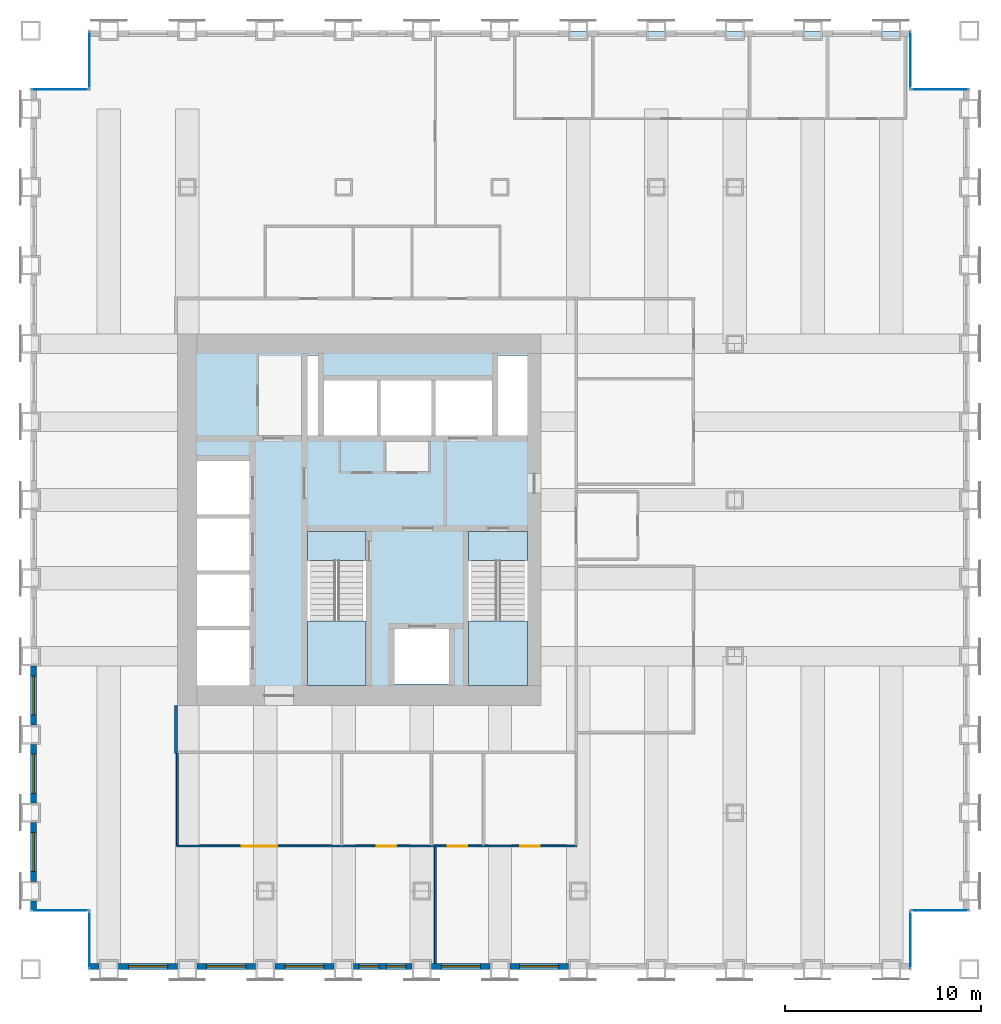
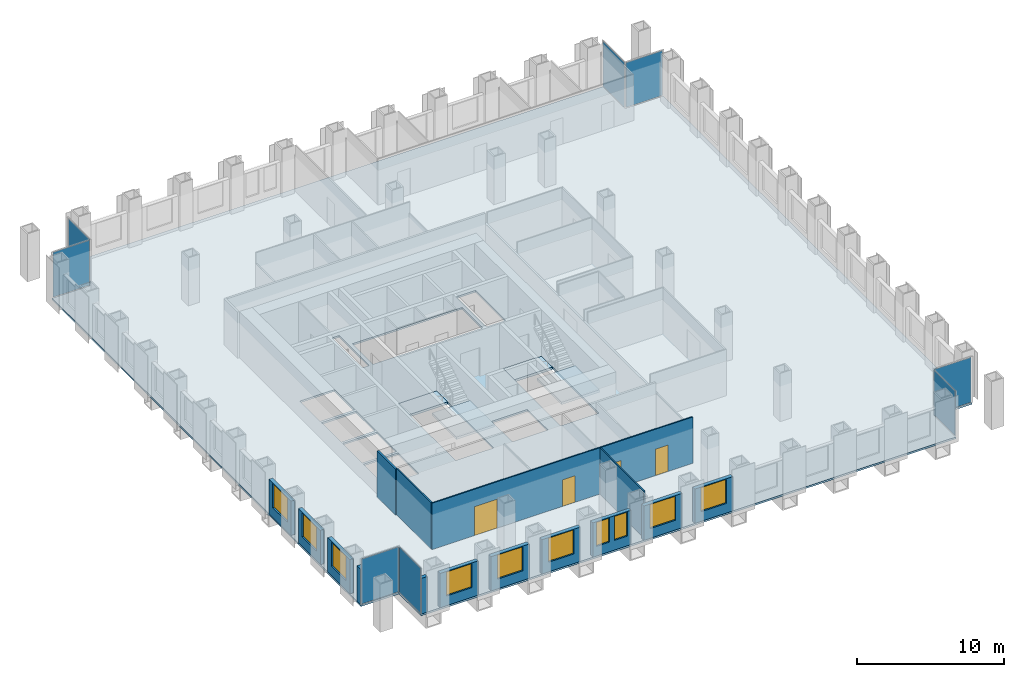
# One storey, part 9 of 14: 15 walls, 10 windows, 8 plates, 5 slabs, 4 doors, 14 openings, 10 elements without a shape of their own.
"""IFC4 building model written with IfcOpenShell, lengths in metres."""

from ifc_helpers import new_model, si_unit, direction, frame, frame_2d, origin, origin_2d, place, context, subcontext, project, spatial, polyline, rectangle, outline, extrude, material, layer, layer_set, type_object, element, fill, aggregate, save


model = new_model("IFC4")

# Units and contexts
model_context = context("Model", 3, precision=1e-05, world=origin(), true_north=direction((0.0, 1.0)))
body_context = subcontext(model_context, "Body", "Model", "MODEL_VIEW")
ifc_project = project(units=[si_unit("LENGTHUNIT", "METRE"), si_unit("AREAUNIT", "SQUARE_METRE"), si_unit("VOLUMEUNIT", "CUBIC_METRE"), si_unit("PLANEANGLEUNIT", "RADIAN"), si_unit("MASSUNIT", "GRAM", prefix="KILO")], contexts=[model_context])

# Site, building, storey
site_placement = place(None, origin())
site = spatial("IfcSite", under=ifc_project, at=site_placement, CompositionType="ELEMENT")
building_placement = place(site_placement, origin())
building = spatial("IfcBuilding", under=site, at=building_placement, Name="Rimbunsela Tower", CompositionType="ELEMENT")
storey_placement = place(building_placement, frame((0.0, 0.0, 109.39990234375)))
storey = spatial("IfcBuildingStorey", under=building, at=storey_placement, Name="L26", CompositionType="ELEMENT", Elevation=109.39990234375)

# Slab
ifc_material_1 = material(Name="Concrete fc' 35 MPa", Category="concrete")
ifc_layer_1 = layer(ifc_material_1, 0.14990234375)
ifc_layer_set_1 = layer_set([ifc_layer_1], Name="Floor slab 150")
slab_type_1 = type_object("IfcSlabType", Name="Floor slab 150", PredefinedType="FLOOR", material=ifc_layer_set_1)
slab_1_placement = place(storey_placement, frame((0.0, 0.0, -0.14990234375)))
element("IfcSlab", 1, at=slab_1_placement, inside=storey, type_object=slab_type_1, Name="Floor slab L26", PredefinedType="FLOOR", context=body_context, shape_type="SweptSolid", body=[
    extrude(outline(polyline([(13.0, 4.0), (55.0, 4.0), (55.0, 7.0), (58.0, 7.0), (58.0, 49.0), (55.0, 49.0), (55.0, 52.0), (13.0, 52.0), (13.0, 49.0), (10.0, 49.0), (10.0, 7.0), (13.0, 7.0), (13.0, 4.0)]), holes=[polyline([(21.199951171875, 21.35009765625), (18.5, 21.35009765625), (18.5, 18.5), (21.199951171875, 18.5), (21.199951171875, 21.35009765625)]), polyline([(21.199951171875, 21.550048828125), (21.199951171875, 24.199951171875), (18.5, 24.199951171875), (18.5, 21.550048828125), (21.199951171875, 21.550048828125)]), polyline([(21.199951171875, 27.050048828125), (18.5, 27.050048828125), (18.5, 24.39990234375), (21.199951171875, 24.39990234375), (21.199951171875, 27.050048828125)]), polyline([(21.199951171875, 27.25), (21.199951171875, 30.0), (18.5, 30.0), (18.5, 27.25), (21.199951171875, 27.25)]), polyline([(27.14990234375, 18.60009765625), (27.14990234375, 26.39990234375), (24.14990234375, 26.39990234375), (24.14990234375, 18.60009765625), (27.14990234375, 18.60009765625)]), polyline([(24.699951171875, 31.300048828125), (24.699951171875, 35.39990234375), (24.14990234375, 35.39990234375), (24.14990234375, 31.300048828125), (24.699951171875, 31.300048828125)]), polyline([(25.0, 34.10009765625), (25.0, 31.300048828125), (33.60009765625, 31.300048828125), (33.60009765625, 34.10009765625), (25.0, 34.10009765625)]), polyline([(31.39990234375, 21.39990234375), (28.60009765625, 21.39990234375), (28.60009765625, 18.60009765625), (31.39990234375, 18.60009765625), (31.39990234375, 21.39990234375)]), polyline([(35.39990234375, 18.60009765625), (35.39990234375, 26.39990234375), (32.39990234375, 26.39990234375), (32.39990234375, 18.60009765625), (35.39990234375, 18.60009765625)]), polyline([(35.39990234375, 31.300048828125), (35.39990234375, 35.39990234375), (33.89990234375, 35.39990234375), (33.89990234375, 31.300048828125), (35.39990234375, 31.300048828125)])]), origin(), (0.0, 0.0, 1.0), 0.14990234375),
])

# Curtain wall, plate
ifc_material_2 = material(Name="Aluminium curtain wall", Category="aluminium")
curtain_wall_type = type_object("IfcCurtainWallType", Name="Corner glazing", PredefinedType="USERDEFINED", material=ifc_material_2)
curtain_wall_1_placement = place(storey_placement, origin())
curtain_wall_1 = element("IfcCurtainWall", 2, at=curtain_wall_1_placement, inside=storey, type_object=curtain_wall_type, Name="Corner glazing L26", ObjectType="CORNER GLAZING", PredefinedType="USERDEFINED")
ifc_material_3 = material(Name="Clear double glazing", Category="glass")
ifc_layer_2 = layer(ifc_material_3, 0.028076171875)
ifc_layer_set_2 = layer_set([ifc_layer_2], Name="Glazed panel clear")
plate_type = type_object("IfcPlateType", Name="Glazed panel clear", PredefinedType="CURTAIN_PANEL", material=ifc_layer_set_2)
plate_1_placement = place(storey_placement, frame((55.0, 5.5, 0.06005859375), z_axis=(0.0, 0.0, 1.0), x_axis=(0.0, 1.0, 0.0)))
plate_1 = element("IfcPlate", 3, at=plate_1_placement, type_object=plate_type, Name="CW5 panel 1.1", PredefinedType="CURTAIN_PANEL", context=body_context, shape_type="SweptSolid", body=[
    extrude(rectangle(XDim=2.8798828125, YDim=0.028076171875, at=origin_2d()), origin(), (0.0, 0.0, 1.0), 3.72998046875),
])
aggregate(curtain_wall_1, [plate_1])

curtain_wall_2_placement = place(storey_placement, origin())
curtain_wall_2 = element("IfcCurtainWall", 4, at=curtain_wall_2_placement, inside=storey, type_object=curtain_wall_type, Name="Corner glazing L26", ObjectType="CORNER GLAZING", PredefinedType="USERDEFINED")
plate_2_placement = place(storey_placement, frame((56.5, 7.0, 0.06005859375), z_axis=(0.0, 0.0, 1.0), x_axis=(1.0, 0.0, 0.0)))
plate_2 = element("IfcPlate", 5, at=plate_2_placement, type_object=plate_type, Name="CW5 panel 1.1", PredefinedType="CURTAIN_PANEL", context=body_context, shape_type="SweptSolid", body=[
    extrude(rectangle(XDim=2.8798828125, YDim=0.028076171875, at=origin_2d()), origin(), (0.0, 0.0, 1.0), 3.72998046875),
])
aggregate(curtain_wall_2, [plate_2])

curtain_wall_3_placement = place(storey_placement, origin())
curtain_wall_3 = element("IfcCurtainWall", 6, at=curtain_wall_3_placement, inside=storey, type_object=curtain_wall_type, Name="Corner glazing L26", ObjectType="CORNER GLAZING", PredefinedType="USERDEFINED")
plate_3_placement = place(storey_placement, frame((56.5, 49.0, 0.06005859375), z_axis=(0.0, 0.0, 1.0), x_axis=(-1.0, 0.0, 0.0)))
plate_3 = element("IfcPlate", 7, at=plate_3_placement, type_object=plate_type, Name="CW5 panel 1.1", PredefinedType="CURTAIN_PANEL", context=body_context, shape_type="SweptSolid", body=[
    extrude(rectangle(XDim=2.8798828125, YDim=0.028076171875, at=origin_2d()), origin(), (0.0, 0.0, 1.0), 3.72998046875),
])
aggregate(curtain_wall_3, [plate_3])

curtain_wall_4_placement = place(storey_placement, origin())
curtain_wall_4 = element("IfcCurtainWall", 8, at=curtain_wall_4_placement, inside=storey, type_object=curtain_wall_type, Name="Corner glazing L26", ObjectType="CORNER GLAZING", PredefinedType="USERDEFINED")
plate_4_placement = place(storey_placement, frame((55.0, 50.5, 0.06005859375), z_axis=(0.0, 0.0, 1.0), x_axis=(0.0, 1.0, 0.0)))
plate_4 = element("IfcPlate", 9, at=plate_4_placement, type_object=plate_type, Name="CW5 panel 1.1", PredefinedType="CURTAIN_PANEL", context=body_context, shape_type="SweptSolid", body=[
    extrude(rectangle(XDim=2.8798828125, YDim=0.028076171875, at=origin_2d()), origin(), (0.0, 0.0, 1.0), 3.72998046875),
])
aggregate(curtain_wall_4, [plate_4])

curtain_wall_5_placement = place(storey_placement, origin())
curtain_wall_5 = element("IfcCurtainWall", 10, at=curtain_wall_5_placement, inside=storey, type_object=curtain_wall_type, Name="Corner glazing L26", ObjectType="CORNER GLAZING", PredefinedType="USERDEFINED")
plate_5_placement = place(storey_placement, frame((13.0, 50.5, 0.06005859375), z_axis=(0.0, 0.0, 1.0), x_axis=(0.0, -1.0, 0.0)))
plate_5 = element("IfcPlate", 11, at=plate_5_placement, type_object=plate_type, Name="CW5 panel 1.1", PredefinedType="CURTAIN_PANEL", context=body_context, shape_type="SweptSolid", body=[
    extrude(rectangle(XDim=2.8798828125, YDim=0.028076171875, at=origin_2d()), origin(), (0.0, 0.0, 1.0), 3.72998046875),
])
aggregate(curtain_wall_5, [plate_5])

curtain_wall_6_placement = place(storey_placement, origin())
curtain_wall_6 = element("IfcCurtainWall", 12, at=curtain_wall_6_placement, inside=storey, type_object=curtain_wall_type, Name="Corner glazing L26", ObjectType="CORNER GLAZING", PredefinedType="USERDEFINED")
plate_6_placement = place(storey_placement, frame((11.5, 49.0, 0.06005859375), z_axis=(0.0, 0.0, 1.0), x_axis=(-1.0, 0.0, 0.0)))
plate_6 = element("IfcPlate", 13, at=plate_6_placement, type_object=plate_type, Name="CW5 panel 1.1", PredefinedType="CURTAIN_PANEL", context=body_context, shape_type="SweptSolid", body=[
    extrude(rectangle(XDim=2.8798828125, YDim=0.028076171875, at=origin_2d()), origin(), (0.0, 0.0, 1.0), 3.72998046875),
])
aggregate(curtain_wall_6, [plate_6])

curtain_wall_7_placement = place(storey_placement, origin())
curtain_wall_7 = element("IfcCurtainWall", 14, at=curtain_wall_7_placement, inside=storey, type_object=curtain_wall_type, Name="Corner glazing L26", ObjectType="CORNER GLAZING", PredefinedType="USERDEFINED")
plate_7_placement = place(storey_placement, frame((11.5, 7.0, 0.06005859375), z_axis=(0.0, 0.0, 1.0), x_axis=(1.0, 0.0, 0.0)))
plate_7 = element("IfcPlate", 15, at=plate_7_placement, type_object=plate_type, Name="CW5 panel 1.1", PredefinedType="CURTAIN_PANEL", context=body_context, shape_type="SweptSolid", body=[
    extrude(rectangle(XDim=2.8798828125, YDim=0.028076171875, at=origin_2d()), origin(), (0.0, 0.0, 1.0), 3.72998046875),
])
aggregate(curtain_wall_7, [plate_7])

curtain_wall_8_placement = place(storey_placement, origin())
curtain_wall_8 = element("IfcCurtainWall", 16, at=curtain_wall_8_placement, inside=storey, type_object=curtain_wall_type, Name="Corner glazing L26", ObjectType="CORNER GLAZING", PredefinedType="USERDEFINED")
plate_8_placement = place(storey_placement, frame((13.0, 5.5, 0.06005859375), z_axis=(0.0, 0.0, 1.0), x_axis=(0.0, -1.0, 0.0)))
plate_8 = element("IfcPlate", 17, at=plate_8_placement, type_object=plate_type, Name="CW5 panel 1.1", PredefinedType="CURTAIN_PANEL", context=body_context, shape_type="SweptSolid", body=[
    extrude(rectangle(XDim=2.8798828125, YDim=0.028076171875, at=origin_2d()), origin(), (0.0, 0.0, 1.0), 3.72998046875),
])
aggregate(curtain_wall_8, [plate_8])

# Stair, slabs
ifc_material_4 = material(Name="Concrete fc' 35 MPa", Category="concrete")
stair_type = type_object("IfcStairType", Name="Exit stair 24 risers", PredefinedType="HALF_TURN_STAIR", material=ifc_material_4)
stair_1_placement = place(storey_placement, origin())
stair_1 = element("IfcStair", 18, at=stair_1_placement, inside=storey, type_object=stair_type, Name="Exit stair A L26", PredefinedType="HALF_TURN_STAIR")
ifc_material_5 = material(Name="Concrete fc' 35 MPa", Category="concrete")
ifc_layer_3 = layer(ifc_material_5, 0.199951171875)
ifc_layer_set_3 = layer_set([ifc_layer_3], Name="Stair landing 200")
slab_type_2 = type_object("IfcSlabType", Name="Stair landing 200", PredefinedType="LANDING", material=ifc_layer_set_3)
slab_2_placement = place(storey_placement, frame((0.0, 0.0, -0.199951171875)))
slab_2 = element("IfcSlab", 19, at=slab_2_placement, type_object=slab_type_2, Name="ST-A landing 1", PredefinedType="LANDING", context=body_context, shape_type="SweptSolid", body=[
    extrude(outline(polyline([(24.14990234375, 24.89990234375), (27.14990234375, 24.89990234375), (27.14990234375, 26.39990234375), (24.14990234375, 26.39990234375), (24.14990234375, 24.89990234375)])), origin(), (0.0, 0.0, 1.0), 0.199951171875),
])
slab_3_placement = place(storey_placement, frame((0.0, 0.0, 1.800048828125)))
slab_3 = element("IfcSlab", 20, at=slab_3_placement, type_object=slab_type_2, Name="ST-A landing 2", PredefinedType="LANDING", context=body_context, shape_type="SweptSolid", body=[
    extrude(outline(polyline([(24.14990234375, 18.5), (27.14990234375, 18.5), (27.14990234375, 21.820068359375), (24.14990234375, 21.820068359375), (24.14990234375, 18.5)])), origin(), (0.0, 0.0, 1.0), 0.199951171875),
])
aggregate(stair_1, [slab_2, slab_3])

stair_2_placement = place(storey_placement, origin())
stair_2 = element("IfcStair", 21, at=stair_2_placement, inside=storey, type_object=stair_type, Name="Exit stair B L26", PredefinedType="HALF_TURN_STAIR")
slab_4_placement = place(storey_placement, frame((0.0, 0.0, -0.199951171875)))
slab_4 = element("IfcSlab", 22, at=slab_4_placement, type_object=slab_type_2, Name="ST-B landing 1", PredefinedType="LANDING", context=body_context, shape_type="SweptSolid", body=[
    extrude(outline(polyline([(32.39990234375, 24.89990234375), (35.39990234375, 24.89990234375), (35.39990234375, 26.39990234375), (32.39990234375, 26.39990234375), (32.39990234375, 24.89990234375)])), origin(), (0.0, 0.0, 1.0), 0.199951171875),
])
slab_5_placement = place(storey_placement, frame((0.0, 0.0, 1.800048828125)))
slab_5 = element("IfcSlab", 23, at=slab_5_placement, type_object=slab_type_2, Name="ST-B landing 2", PredefinedType="LANDING", context=body_context, shape_type="SweptSolid", body=[
    extrude(outline(polyline([(32.39990234375, 18.5), (35.39990234375, 18.5), (35.39990234375, 21.820068359375), (32.39990234375, 21.820068359375), (32.39990234375, 18.5)])), origin(), (0.0, 0.0, 1.0), 0.199951171875),
])
aggregate(stair_2, [slab_4, slab_5])

# Wall, openings, doors
ifc_material_6 = material(Name="Gypsum board on steel studs", Category="steel")
ifc_layer_4 = layer(ifc_material_6, 0.10009765625)
ifc_layer_set_4 = layer_set([ifc_layer_4], Name="Office partition 100")
wall_type_1 = type_object("IfcWallType", Name="Office partition 100", PredefinedType="PARTITIONING", material=ifc_layer_set_4)
wall_1_placement = place(storey_placement, frame((17.449951171875, 10.300048828125, 0.0), z_axis=(0.0, 0.0, 1.0), x_axis=(1.0, 0.0, 0.0)))
wall_1 = element("IfcWall", 24, at=wall_1_placement, inside=storey, type_object=wall_type_1, Name="Office partition", PredefinedType="PARTITIONING", context=body_context, shape_type="SweptSolid", body=[
    extrude(rectangle(XDim=20.5, YDim=0.10009765625, at=frame_2d((10.25, 0.0))), origin(), (0.0, 0.0, 1.0), 3.85009765625),
])
opening_1_placement = place(wall_1_placement, frame((3.35009765625, 0.0, 0.0)))
opening_1 = element("IfcOpeningElement", 25, at=opening_1_placement, cuts=wall_1, Name="Opening D18", PredefinedType="OPENING", context=body_context, shape_type="SweptSolid", body=[
    extrude(rectangle(XDim=1.800048828125, YDim=2.39990234375, at=frame_2d((0.89990234375, 1.199951171875))), frame((0.0, 0.06005859375, 0.0), z_axis=(0.0, -1.0, 0.0), x_axis=(1.0, 0.0, 0.0)), (0.0, 0.0, 1.0), 0.1201171875),
])
opening_2_placement = place(wall_1_placement, frame((10.25, 0.0, 0.0)))
opening_2 = element("IfcOpeningElement", 26, at=opening_2_placement, cuts=wall_1, Name="Opening D16", PredefinedType="OPENING", context=body_context, shape_type="SweptSolid", body=[
    extrude(rectangle(XDim=1.0, YDim=2.199951171875, at=frame_2d((0.5, 1.10009765625))), frame((0.0, 0.06005859375, 0.0), z_axis=(0.0, -1.0, 0.0), x_axis=(1.0, 0.0, 0.0)), (0.0, 0.0, 1.0), 0.1201171875),
])
opening_3_placement = place(wall_1_placement, frame((13.875, 0.0, 0.0)))
opening_3 = element("IfcOpeningElement", 27, at=opening_3_placement, cuts=wall_1, Name="Opening D16", PredefinedType="OPENING", context=body_context, shape_type="SweptSolid", body=[
    extrude(rectangle(XDim=1.0, YDim=2.199951171875, at=frame_2d((0.5, 1.10009765625))), frame((0.0, 0.06005859375, 0.0), z_axis=(0.0, -1.0, 0.0), x_axis=(1.0, 0.0, 0.0)), (0.0, 0.0, 1.0), 0.1201171875),
])
opening_4_placement = place(wall_1_placement, frame((17.574951171875, 0.0, 0.0)))
opening_4 = element("IfcOpeningElement", 28, at=opening_4_placement, cuts=wall_1, Name="Opening D16", PredefinedType="OPENING", context=body_context, shape_type="SweptSolid", body=[
    extrude(rectangle(XDim=1.0, YDim=2.199951171875, at=frame_2d((0.5, 1.10009765625))), frame((0.0, 0.06005859375, 0.0), z_axis=(0.0, -1.0, 0.0), x_axis=(1.0, 0.0, 0.0)), (0.0, 0.0, 1.0), 0.1201171875),
])
ifc_material_7 = material(Name="Glazed aluminium door", Category="aluminium")
door_type_1 = type_object("IfcDoorType", Name="Boardroom door 1800 glazed", OperationType="DOUBLE_DOOR_DOUBLE_SWING", PredefinedType="DOOR", material=ifc_material_7)
door_1_placement = place(opening_1_placement, origin())
door_1 = element("IfcDoor", 29, at=door_1_placement, inside=storey, type_object=door_type_1, Name="Boardroom door", OperationType="DOUBLE_DOOR_DOUBLE_SWING", OverallHeight=2.39990234375, OverallWidth=1.800048828125, PredefinedType="DOOR", context=body_context, shape_type="SweptSolid", body=[
    extrude(rectangle(XDim=1.800048828125, YDim=2.39990234375, at=frame_2d((0.89990234375, 1.199951171875))), frame((0.0, 0.02490234375, 0.0), z_axis=(0.0, -1.0, 0.0), x_axis=(1.0, 0.0, 0.0)), (0.0, 0.0, 1.0), 0.050048828125),
])
fill(opening_1, door_1)
ifc_material_8 = material(Name="Timber door", Category="wood")
door_type_2 = type_object("IfcDoorType", Name="Office door 1000", OperationType="SINGLE_SWING_LEFT", PredefinedType="DOOR", material=ifc_material_8)
door_2_placement = place(opening_2_placement, origin())
door_2 = element("IfcDoor", 30, at=door_2_placement, inside=storey, type_object=door_type_2, Name="Office door", OperationType="SINGLE_SWING_LEFT", OverallHeight=2.199951171875, OverallWidth=1.0, PredefinedType="DOOR", context=body_context, shape_type="SweptSolid", body=[
    extrude(rectangle(XDim=1.0, YDim=2.199951171875, at=frame_2d((0.5, 1.10009765625))), frame((0.0, 0.02490234375, 0.0), z_axis=(0.0, -1.0, 0.0), x_axis=(1.0, 0.0, 0.0)), (0.0, 0.0, 1.0), 0.050048828125),
])
fill(opening_2, door_2)
door_3_placement = place(opening_3_placement, origin())
door_3 = element("IfcDoor", 31, at=door_3_placement, inside=storey, type_object=door_type_2, Name="Office door", OperationType="SINGLE_SWING_LEFT", OverallHeight=2.199951171875, OverallWidth=1.0, PredefinedType="DOOR", context=body_context, shape_type="SweptSolid", body=[
    extrude(rectangle(XDim=1.0, YDim=2.199951171875, at=frame_2d((0.5, 1.10009765625))), frame((0.0, 0.02490234375, 0.0), z_axis=(0.0, -1.0, 0.0), x_axis=(1.0, 0.0, 0.0)), (0.0, 0.0, 1.0), 0.050048828125),
])
fill(opening_3, door_3)
door_4_placement = place(opening_4_placement, origin())
door_4 = element("IfcDoor", 32, at=door_4_placement, inside=storey, type_object=door_type_2, Name="Office door", OperationType="SINGLE_SWING_LEFT", OverallHeight=2.199951171875, OverallWidth=1.0, PredefinedType="DOOR", context=body_context, shape_type="SweptSolid", body=[
    extrude(rectangle(XDim=1.0, YDim=2.199951171875, at=frame_2d((0.5, 1.10009765625))), frame((0.0, 0.02490234375, 0.0), z_axis=(0.0, -1.0, 0.0), x_axis=(1.0, 0.0, 0.0)), (0.0, 0.0, 1.0), 0.050048828125),
])
fill(opening_4, door_4)

# Walls
wall_2_placement = place(storey_placement, frame((17.5, 10.35009765625, 0.0), z_axis=(0.0, 0.0, 1.0), x_axis=(0.0, 1.0, 0.0)))
element("IfcWall", 33, at=wall_2_placement, inside=storey, type_object=wall_type_1, Name="Office partition", PredefinedType="PARTITIONING", context=body_context, shape_type="SweptSolid", body=[
    extrude(rectangle(XDim=4.6748046875, YDim=0.10009765625, at=frame_2d((2.33740234375, 0.0))), origin(), (0.0, 0.0, 1.0), 3.85009765625),
])
wall_3_placement = place(storey_placement, frame((30.699951171875, 4.300048828125, 0.0), z_axis=(0.0, 0.0, 1.0), x_axis=(0.0, 1.0, 0.0)))
element("IfcWall", 34, at=wall_3_placement, inside=storey, type_object=wall_type_1, Name="Office partition", PredefinedType="PARTITIONING", context=body_context, shape_type="SweptSolid", body=[
    extrude(rectangle(XDim=5.949951171875, YDim=0.10009765625, at=frame_2d((2.97509765625, 0.0))), origin(), (0.0, 0.0, 1.0), 3.85009765625),
])
ifc_material_9 = material(Name="Precast concrete fc' 35 MPa", Category="concrete")
ifc_layer_5 = layer(ifc_material_9, 0.300048828125)
ifc_layer_set_5 = layer_set([ifc_layer_5], Name="Precast concrete fc' 35 MPa")
wall_type_2 = type_object("IfcWallType", Name="Precast facade panel 300", PredefinedType="ELEMENTEDWALL", material=ifc_layer_set_5)
wall_4_placement = place(storey_placement, frame((13.030029296875, 4.14990234375, 0.0), z_axis=(0.0, 0.0, 1.0), x_axis=(1.0, 0.0, 0.0)))
element("IfcWall", 35, at=wall_4_placement, inside=storey, type_object=wall_type_2, Name="Facade panel S L26", PredefinedType="ELEMENTEDWALL", context=body_context, shape_type="SweptSolid", body=[
    extrude(rectangle(XDim=0.469970703125, YDim=0.300048828125, at=frame_2d((0.23486328125, 0.0))), origin(), (0.0, 0.0, 1.0), 2.9501953125),
])

# Wall, opening, window
wall_5_placement = place(storey_placement, frame((14.5, 4.14990234375, 0.0), z_axis=(0.0, 0.0, 1.0), x_axis=(1.0, 0.0, 0.0)))
wall_5 = element("IfcWall", 36, at=wall_5_placement, inside=storey, type_object=wall_type_2, Name="Facade panel S L26", PredefinedType="ELEMENTEDWALL", context=body_context, shape_type="SweptSolid", body=[
    extrude(rectangle(XDim=3.0, YDim=0.300048828125, at=frame_2d((1.5, 0.0))), origin(), (0.0, 0.0, 1.0), 2.85009765625),
])
opening_5_placement = place(wall_5_placement, frame((0.5, 0.0, 0.800048828125)))
opening_5 = element("IfcOpeningElement", 37, at=opening_5_placement, cuts=wall_5, Name="Opening W1", PredefinedType="OPENING", context=body_context, shape_type="SweptSolid", body=[
    extrude(rectangle(XDim=2.0, YDim=2.0, at=frame_2d((1.0, 1.0))), frame((0.0, 0.159912109375, 0.0), z_axis=(0.0, -1.0, 0.0), x_axis=(1.0, 0.0, 0.0)), (0.0, 0.0, 1.0), 0.320068359375),
])
ifc_material_10 = material(Name="Clear glass in aluminium frame", Category="aluminium")
window_type_1 = type_object("IfcWindowType", Name="Window W1 2000x2000", PartitioningType="DOUBLE_PANEL_VERTICAL", PredefinedType="WINDOW", material=ifc_material_10)
window_1_placement = place(opening_5_placement, origin())
window_1 = element("IfcWindow", 38, at=window_1_placement, inside=storey, type_object=window_type_1, Name="Window L26", OverallHeight=2.0, OverallWidth=2.0, PartitioningType="SINGLE_PANEL", PredefinedType="WINDOW", context=body_context, shape_type="SweptSolid", body=[
    extrude(rectangle(XDim=2.0, YDim=2.0, at=frame_2d((1.0, 1.0))), frame((0.0, 0.030029296875, 0.0), z_axis=(0.0, -1.0, 0.0), x_axis=(1.0, 0.0, 0.0)), (0.0, 0.0, 1.0), 0.06005859375),
])
fill(opening_5, window_1)

wall_6_placement = place(storey_placement, frame((18.5, 4.14990234375, 0.0), z_axis=(0.0, 0.0, 1.0), x_axis=(1.0, 0.0, 0.0)))
wall_6 = element("IfcWall", 39, at=wall_6_placement, inside=storey, type_object=wall_type_2, Name="Facade panel S L26", PredefinedType="ELEMENTEDWALL", context=body_context, shape_type="SweptSolid", body=[
    extrude(rectangle(XDim=3.0, YDim=0.300048828125, at=frame_2d((1.5, 0.0))), origin(), (0.0, 0.0, 1.0), 2.85009765625),
])
opening_6_placement = place(wall_6_placement, frame((0.5, 0.0, 0.800048828125)))
opening_6 = element("IfcOpeningElement", 40, at=opening_6_placement, cuts=wall_6, Name="Opening W1", PredefinedType="OPENING", context=body_context, shape_type="SweptSolid", body=[
    extrude(rectangle(XDim=2.0, YDim=2.0, at=frame_2d((1.0, 1.0))), frame((0.0, 0.159912109375, 0.0), z_axis=(0.0, -1.0, 0.0), x_axis=(1.0, 0.0, 0.0)), (0.0, 0.0, 1.0), 0.320068359375),
])
window_2_placement = place(opening_6_placement, origin())
window_2 = element("IfcWindow", 41, at=window_2_placement, inside=storey, type_object=window_type_1, Name="Window L26", OverallHeight=2.0, OverallWidth=2.0, PartitioningType="SINGLE_PANEL", PredefinedType="WINDOW", context=body_context, shape_type="SweptSolid", body=[
    extrude(rectangle(XDim=2.0, YDim=2.0, at=frame_2d((1.0, 1.0))), frame((0.0, 0.030029296875, 0.0), z_axis=(0.0, -1.0, 0.0), x_axis=(1.0, 0.0, 0.0)), (0.0, 0.0, 1.0), 0.06005859375),
])
fill(opening_6, window_2)

wall_7_placement = place(storey_placement, frame((22.5, 4.14990234375, 0.0), z_axis=(0.0, 0.0, 1.0), x_axis=(1.0, 0.0, 0.0)))
wall_7 = element("IfcWall", 42, at=wall_7_placement, inside=storey, type_object=wall_type_2, Name="Facade panel S L26", PredefinedType="ELEMENTEDWALL", context=body_context, shape_type="SweptSolid", body=[
    extrude(rectangle(XDim=3.0, YDim=0.300048828125, at=frame_2d((1.5, 0.0))), origin(), (0.0, 0.0, 1.0), 2.85009765625),
])
opening_7_placement = place(wall_7_placement, frame((0.5, 0.0, 0.800048828125)))
opening_7 = element("IfcOpeningElement", 43, at=opening_7_placement, cuts=wall_7, Name="Opening W1", PredefinedType="OPENING", context=body_context, shape_type="SweptSolid", body=[
    extrude(rectangle(XDim=2.0, YDim=2.0, at=frame_2d((1.0, 1.0))), frame((0.0, 0.159912109375, 0.0), z_axis=(0.0, -1.0, 0.0), x_axis=(1.0, 0.0, 0.0)), (0.0, 0.0, 1.0), 0.320068359375),
])
window_3_placement = place(opening_7_placement, origin())
window_3 = element("IfcWindow", 44, at=window_3_placement, inside=storey, type_object=window_type_1, Name="Window L26", OverallHeight=2.0, OverallWidth=2.0, PartitioningType="SINGLE_PANEL", PredefinedType="WINDOW", context=body_context, shape_type="SweptSolid", body=[
    extrude(rectangle(XDim=2.0, YDim=2.0, at=frame_2d((1.0, 1.0))), frame((0.0, 0.030029296875, 0.0), z_axis=(0.0, -1.0, 0.0), x_axis=(1.0, 0.0, 0.0)), (0.0, 0.0, 1.0), 0.06005859375),
])
fill(opening_7, window_3)

# Wall, openings, windows
wall_8_placement = place(storey_placement, frame((26.5, 4.14990234375, 0.0), z_axis=(0.0, 0.0, 1.0), x_axis=(1.0, 0.0, 0.0)))
wall_8 = element("IfcWall", 45, at=wall_8_placement, inside=storey, type_object=wall_type_2, Name="Facade panel S L26", PredefinedType="ELEMENTEDWALL", context=body_context, shape_type="SweptSolid", body=[
    extrude(rectangle(XDim=3.0, YDim=0.300048828125, at=frame_2d((1.5, 0.0))), origin(), (0.0, 0.0, 1.0), 2.85009765625),
])
opening_8_placement = place(wall_8_placement, frame((0.300048828125, 0.0, 0.800048828125)))
opening_8 = element("IfcOpeningElement", 46, at=opening_8_placement, cuts=wall_8, Name="Opening W5", PredefinedType="OPENING", context=body_context, shape_type="SweptSolid", body=[
    extrude(rectangle(XDim=1.0, YDim=2.0, at=frame_2d((0.5, 1.0))), frame((0.0, 0.159912109375, 0.0), z_axis=(0.0, -1.0, 0.0), x_axis=(1.0, 0.0, 0.0)), (0.0, 0.0, 1.0), 0.320068359375),
])
opening_9_placement = place(wall_8_placement, frame((1.699951171875, 0.0, 0.800048828125)))
opening_9 = element("IfcOpeningElement", 47, at=opening_9_placement, cuts=wall_8, Name="Opening W5", PredefinedType="OPENING", context=body_context, shape_type="SweptSolid", body=[
    extrude(rectangle(XDim=1.0, YDim=2.0, at=frame_2d((0.5, 1.0))), frame((0.0, 0.159912109375, 0.0), z_axis=(0.0, -1.0, 0.0), x_axis=(1.0, 0.0, 0.0)), (0.0, 0.0, 1.0), 0.320068359375),
])
ifc_material_11 = material(Name="Clear glass in aluminium frame", Category="aluminium")
window_type_2 = type_object("IfcWindowType", Name="Window W5 1000x2000", PartitioningType="SINGLE_PANEL", PredefinedType="WINDOW", material=ifc_material_11)
window_4_placement = place(opening_8_placement, origin())
window_4 = element("IfcWindow", 48, at=window_4_placement, inside=storey, type_object=window_type_2, Name="Window L26", OverallHeight=2.0, OverallWidth=1.0, PartitioningType="SINGLE_PANEL", PredefinedType="WINDOW", context=body_context, shape_type="SweptSolid", body=[
    extrude(rectangle(XDim=1.0, YDim=2.0, at=frame_2d((0.5, 1.0))), frame((0.0, 0.030029296875, 0.0), z_axis=(0.0, -1.0, 0.0), x_axis=(1.0, 0.0, 0.0)), (0.0, 0.0, 1.0), 0.06005859375),
])
fill(opening_8, window_4)
window_5_placement = place(opening_9_placement, origin())
window_5 = element("IfcWindow", 49, at=window_5_placement, inside=storey, type_object=window_type_2, Name="Window L26", OverallHeight=2.0, OverallWidth=1.0, PartitioningType="SINGLE_PANEL", PredefinedType="WINDOW", context=body_context, shape_type="SweptSolid", body=[
    extrude(rectangle(XDim=1.0, YDim=2.0, at=frame_2d((0.5, 1.0))), frame((0.0, 0.030029296875, 0.0), z_axis=(0.0, -1.0, 0.0), x_axis=(1.0, 0.0, 0.0)), (0.0, 0.0, 1.0), 0.06005859375),
])
fill(opening_9, window_5)

# Wall, opening, window
wall_9_placement = place(storey_placement, frame((30.5, 4.14990234375, 0.0), z_axis=(0.0, 0.0, 1.0), x_axis=(1.0, 0.0, 0.0)))
wall_9 = element("IfcWall", 50, at=wall_9_placement, inside=storey, type_object=wall_type_2, Name="Facade panel S L26", PredefinedType="ELEMENTEDWALL", context=body_context, shape_type="SweptSolid", body=[
    extrude(rectangle(XDim=3.0, YDim=0.300048828125, at=frame_2d((1.5, 0.0))), origin(), (0.0, 0.0, 1.0), 2.85009765625),
])
opening_10_placement = place(wall_9_placement, frame((0.5, 0.0, 0.800048828125)))
opening_10 = element("IfcOpeningElement", 51, at=opening_10_placement, cuts=wall_9, Name="Opening W1", PredefinedType="OPENING", context=body_context, shape_type="SweptSolid", body=[
    extrude(rectangle(XDim=2.0, YDim=2.0, at=frame_2d((1.0, 1.0))), frame((0.0, 0.159912109375, 0.0), z_axis=(0.0, -1.0, 0.0), x_axis=(1.0, 0.0, 0.0)), (0.0, 0.0, 1.0), 0.320068359375),
])
window_6_placement = place(opening_10_placement, origin())
window_6 = element("IfcWindow", 52, at=window_6_placement, inside=storey, type_object=window_type_1, Name="Window L26", OverallHeight=2.0, OverallWidth=2.0, PartitioningType="SINGLE_PANEL", PredefinedType="WINDOW", context=body_context, shape_type="SweptSolid", body=[
    extrude(rectangle(XDim=2.0, YDim=2.0, at=frame_2d((1.0, 1.0))), frame((0.0, 0.030029296875, 0.0), z_axis=(0.0, -1.0, 0.0), x_axis=(1.0, 0.0, 0.0)), (0.0, 0.0, 1.0), 0.06005859375),
])
fill(opening_10, window_6)

wall_10_placement = place(storey_placement, frame((34.5, 4.14990234375, 0.0), z_axis=(0.0, 0.0, 1.0), x_axis=(1.0, 0.0, 0.0)))
wall_10 = element("IfcWall", 53, at=wall_10_placement, inside=storey, type_object=wall_type_2, Name="Facade panel S L26", PredefinedType="ELEMENTEDWALL", context=body_context, shape_type="SweptSolid", body=[
    extrude(rectangle(XDim=3.0, YDim=0.300048828125, at=frame_2d((1.5, 0.0))), origin(), (0.0, 0.0, 1.0), 2.85009765625),
])
opening_11_placement = place(wall_10_placement, frame((0.5, 0.0, 0.800048828125)))
opening_11 = element("IfcOpeningElement", 54, at=opening_11_placement, cuts=wall_10, Name="Opening W1", PredefinedType="OPENING", context=body_context, shape_type="SweptSolid", body=[
    extrude(rectangle(XDim=2.0, YDim=2.0, at=frame_2d((1.0, 1.0))), frame((0.0, 0.159912109375, 0.0), z_axis=(0.0, -1.0, 0.0), x_axis=(1.0, 0.0, 0.0)), (0.0, 0.0, 1.0), 0.320068359375),
])
window_7_placement = place(opening_11_placement, origin())
window_7 = element("IfcWindow", 55, at=window_7_placement, inside=storey, type_object=window_type_1, Name="Window L26", OverallHeight=2.0, OverallWidth=2.0, PartitioningType="SINGLE_PANEL", PredefinedType="WINDOW", context=body_context, shape_type="SweptSolid", body=[
    extrude(rectangle(XDim=2.0, YDim=2.0, at=frame_2d((1.0, 1.0))), frame((0.0, 0.030029296875, 0.0), z_axis=(0.0, -1.0, 0.0), x_axis=(1.0, 0.0, 0.0)), (0.0, 0.0, 1.0), 0.06005859375),
])
fill(opening_11, window_7)

# Wall
wall_11_placement = place(storey_placement, frame((10.14990234375, 7.5, 0.0), z_axis=(0.0, 0.0, 1.0), x_axis=(0.0, -1.0, 0.0)))
element("IfcWall", 56, at=wall_11_placement, inside=storey, type_object=wall_type_2, Name="Facade panel W L26", PredefinedType="ELEMENTEDWALL", context=body_context, shape_type="SweptSolid", body=[
    extrude(rectangle(XDim=0.469970703125, YDim=0.300048828125, at=frame_2d((0.23486328125, 0.0))), origin(), (0.0, 0.0, 1.0), 2.9501953125),
])

# Wall, opening, window
wall_12_placement = place(storey_placement, frame((10.14990234375, 11.5, 0.0), z_axis=(0.0, 0.0, 1.0), x_axis=(0.0, -1.0, 0.0)))
wall_12 = element("IfcWall", 57, at=wall_12_placement, inside=storey, type_object=wall_type_2, Name="Facade panel W L26", PredefinedType="ELEMENTEDWALL", context=body_context, shape_type="SweptSolid", body=[
    extrude(rectangle(XDim=3.0, YDim=0.300048828125, at=frame_2d((1.5, 0.0))), origin(), (0.0, 0.0, 1.0), 2.85009765625),
])
opening_12_placement = place(wall_12_placement, frame((0.5, 0.0, 0.800048828125)))
opening_12 = element("IfcOpeningElement", 58, at=opening_12_placement, cuts=wall_12, Name="Opening W1", PredefinedType="OPENING", context=body_context, shape_type="SweptSolid", body=[
    extrude(rectangle(XDim=2.0, YDim=2.0, at=frame_2d((1.0, 1.0))), frame((0.0, 0.159912109375, 0.0), z_axis=(0.0, -1.0, 0.0), x_axis=(1.0, 0.0, 0.0)), (0.0, 0.0, 1.0), 0.320068359375),
])
window_8_placement = place(opening_12_placement, origin())
window_8 = element("IfcWindow", 59, at=window_8_placement, inside=storey, type_object=window_type_1, Name="Window L26", OverallHeight=2.0, OverallWidth=2.0, PartitioningType="SINGLE_PANEL", PredefinedType="WINDOW", context=body_context, shape_type="SweptSolid", body=[
    extrude(rectangle(XDim=2.0, YDim=2.0, at=frame_2d((1.0, 1.0))), frame((0.0, 0.030029296875, 0.0), z_axis=(0.0, -1.0, 0.0), x_axis=(1.0, 0.0, 0.0)), (0.0, 0.0, 1.0), 0.06005859375),
])
fill(opening_12, window_8)

wall_13_placement = place(storey_placement, frame((10.14990234375, 15.5, 0.0), z_axis=(0.0, 0.0, 1.0), x_axis=(0.0, -1.0, 0.0)))
wall_13 = element("IfcWall", 60, at=wall_13_placement, inside=storey, type_object=wall_type_2, Name="Facade panel W L26", PredefinedType="ELEMENTEDWALL", context=body_context, shape_type="SweptSolid", body=[
    extrude(rectangle(XDim=3.0, YDim=0.300048828125, at=frame_2d((1.5, 0.0))), origin(), (0.0, 0.0, 1.0), 2.85009765625),
])
opening_13_placement = place(wall_13_placement, frame((0.5, 0.0, 0.800048828125)))
opening_13 = element("IfcOpeningElement", 61, at=opening_13_placement, cuts=wall_13, Name="Opening W1", PredefinedType="OPENING", context=body_context, shape_type="SweptSolid", body=[
    extrude(rectangle(XDim=2.0, YDim=2.0, at=frame_2d((1.0, 1.0))), frame((0.0, 0.159912109375, 0.0), z_axis=(0.0, -1.0, 0.0), x_axis=(1.0, 0.0, 0.0)), (0.0, 0.0, 1.0), 0.320068359375),
])
window_9_placement = place(opening_13_placement, origin())
window_9 = element("IfcWindow", 62, at=window_9_placement, inside=storey, type_object=window_type_1, Name="Window L26", OverallHeight=2.0, OverallWidth=2.0, PartitioningType="SINGLE_PANEL", PredefinedType="WINDOW", context=body_context, shape_type="SweptSolid", body=[
    extrude(rectangle(XDim=2.0, YDim=2.0, at=frame_2d((1.0, 1.0))), frame((0.0, 0.030029296875, 0.0), z_axis=(0.0, -1.0, 0.0), x_axis=(1.0, 0.0, 0.0)), (0.0, 0.0, 1.0), 0.06005859375),
])
fill(opening_13, window_9)

wall_14_placement = place(storey_placement, frame((10.14990234375, 19.5, 0.0), z_axis=(0.0, 0.0, 1.0), x_axis=(0.0, -1.0, 0.0)))
wall_14 = element("IfcWall", 63, at=wall_14_placement, inside=storey, type_object=wall_type_2, Name="Facade panel W L26", PredefinedType="ELEMENTEDWALL", context=body_context, shape_type="SweptSolid", body=[
    extrude(rectangle(XDim=3.0, YDim=0.300048828125, at=frame_2d((1.5, 0.0))), origin(), (0.0, 0.0, 1.0), 2.85009765625),
])
opening_14_placement = place(wall_14_placement, frame((0.5, 0.0, 0.800048828125)))
opening_14 = element("IfcOpeningElement", 64, at=opening_14_placement, cuts=wall_14, Name="Opening W1", PredefinedType="OPENING", context=body_context, shape_type="SweptSolid", body=[
    extrude(rectangle(XDim=2.0, YDim=2.0, at=frame_2d((1.0, 1.0))), frame((0.0, 0.159912109375, 0.0), z_axis=(0.0, -1.0, 0.0), x_axis=(1.0, 0.0, 0.0)), (0.0, 0.0, 1.0), 0.320068359375),
])
window_10_placement = place(opening_14_placement, origin())
window_10 = element("IfcWindow", 65, at=window_10_placement, inside=storey, type_object=window_type_1, Name="Window L26", OverallHeight=2.0, OverallWidth=2.0, PartitioningType="SINGLE_PANEL", PredefinedType="WINDOW", context=body_context, shape_type="SweptSolid", body=[
    extrude(rectangle(XDim=2.0, YDim=2.0, at=frame_2d((1.0, 1.0))), frame((0.0, 0.030029296875, 0.0), z_axis=(0.0, -1.0, 0.0), x_axis=(1.0, 0.0, 0.0)), (0.0, 0.0, 1.0), 0.06005859375),
])
fill(opening_14, window_10)

# Wall
ifc_material_12 = material(Name="Fire-rated gypsum board on steel studs, EI 60", Category="steel")
ifc_layer_6 = layer(ifc_material_12, 0.14990234375)
ifc_layer_set_6 = layer_set([ifc_layer_6], Name="Rated corridor wall 150")
wall_type_3 = type_object("IfcWallType", Name="Rated corridor wall 150", PredefinedType="PARTITIONING", material=ifc_layer_set_6)
wall_15_placement = place(storey_placement, frame((17.425048828125, 15.02490234375, 0.0), z_axis=(0.0, 0.0, 1.0), x_axis=(0.0, 1.0, 0.0)))
element("IfcWall", 66, at=wall_15_placement, inside=storey, type_object=wall_type_3, Name="Corridor end wall south", PredefinedType="PARTITIONING", context=body_context, shape_type="SweptSolid", body=[
    extrude(rectangle(XDim=2.47509765625, YDim=0.14990234375, at=frame_2d((1.237548828125, 0.0))), origin(), (0.0, 0.0, 1.0), 3.85009765625),
])

save(model, "model.ifc")
